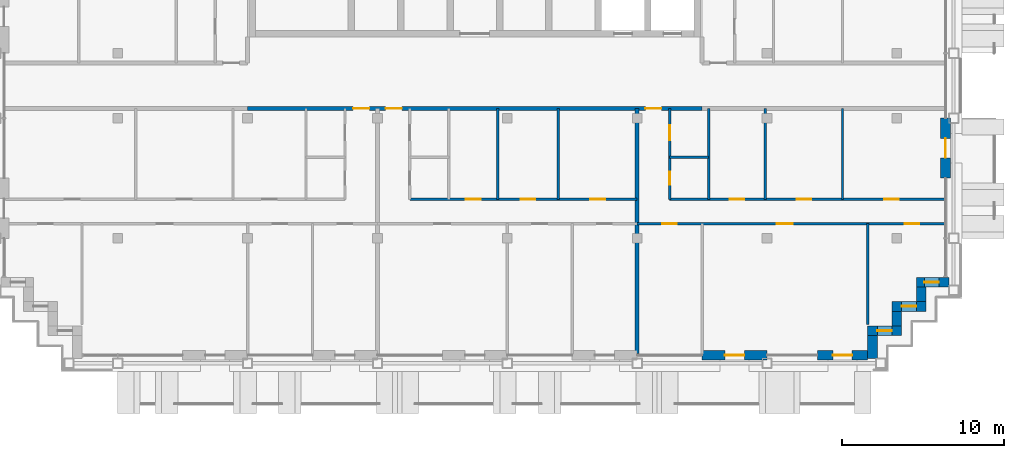
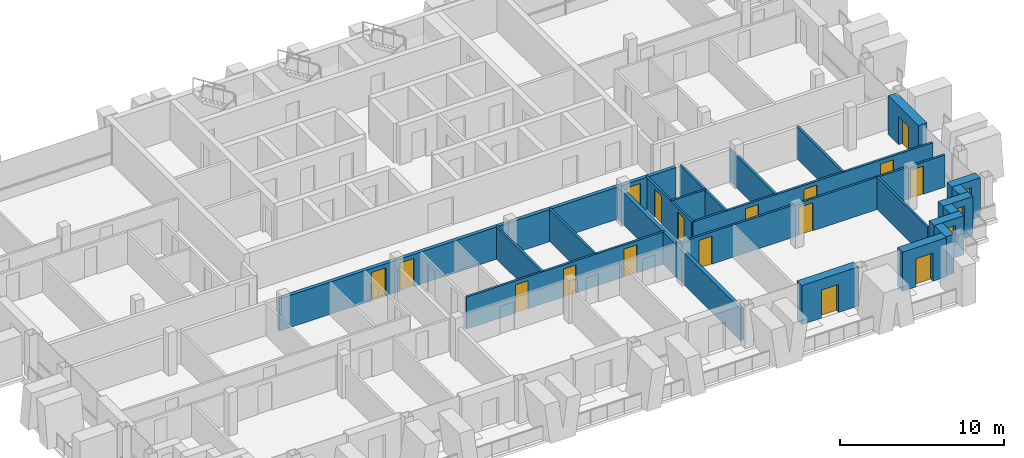
# One storey, part 9 of 15: 22 walls, 17 doors, 3 windows, 20 openings.
"""IFC4 building model written with IfcOpenShell, lengths in metres."""

from ifc_helpers import new_model, si_unit, direction, frame, frame_2d, origin, place, context, subcontext, project, spatial, rectangle, extrude, material, layer, layer_set, type_object, element, fill, save


model = new_model("IFC4")

# Units and contexts
model_context = context("Model", 3, precision=1e-05, world=origin(), true_north=direction((0.0, 1.0)))
body_context = subcontext(model_context, "Body", "Model", "MODEL_VIEW")
ifc_project = project(units=[si_unit("LENGTHUNIT", "METRE"), si_unit("AREAUNIT", "SQUARE_METRE"), si_unit("VOLUMEUNIT", "CUBIC_METRE"), si_unit("PLANEANGLEUNIT", "RADIAN"), si_unit("MASSUNIT", "GRAM", prefix="KILO")], contexts=[model_context])

# Site, building, storey
site_placement = place(None, origin())
site = spatial("IfcSite", under=ifc_project, at=site_placement, CompositionType="ELEMENT")
building_placement = place(site_placement, origin())
building = spatial("IfcBuilding", under=site, at=building_placement, Name="Vidyagriha Tower", CompositionType="ELEMENT")
storey_placement = place(building_placement, frame((0.0, 0.0, 226.800048828125)))
storey = spatial("IfcBuildingStorey", under=building, at=storey_placement, Name="L59", CompositionType="ELEMENT", Elevation=226.800048828125)

# Wall, opening, door
ifc_material_1 = material(Name="Precast concrete C40/50 with brick facing", Category="concrete")
ifc_layer_1 = layer(ifc_material_1, 0.60009765625)
ifc_layer_set_1 = layer_set([ifc_layer_1], Name="Precast concrete C40/50 with brick facing")
wall_type_1 = type_object("IfcWallType", Name="Brick-faced precast wall 600", PredefinedType="STANDARD", material=ifc_layer_set_1)
wall_1_placement = place(storey_placement, frame((14.0, -16.60009765625, 0.0)))
wall_1 = element("IfcWall", 1, at=wall_1_placement, inside=storey, type_object=wall_type_1, Name="Brick door bay wall L59 R23.11", PredefinedType="STANDARD", context=body_context, shape_type="SweptSolid", body=[
    extrude(rectangle(XDim=4.0, YDim=0.60009765625, at=frame_2d((2.0, 0.0))), origin(), (0.0, 0.0, 1.0), 2.919921875),
])
opening_1_placement = place(wall_1_placement, frame((1.39990234375, 0.0, 0.0)))
opening_1 = element("IfcOpeningElement", 2, at=opening_1_placement, cuts=wall_1, Name="Opening D59-66", PredefinedType="OPENING", context=body_context, shape_type="SweptSolid", body=[
    extrude(rectangle(XDim=1.199951171875, YDim=2.10009765625, at=frame_2d((0.60009765625, 1.050048828125))), frame((0.0, 0.31005859375, 0.0), z_axis=(0.0, -1.0, 0.0), x_axis=(1.0, 0.0, 0.0)), (0.0, 0.0, 1.0), 0.6201171875),
])
ifc_material_2 = material(Name="Aluminium framed glazed sliding door", Category="aluminium")
door_type_1 = type_object("IfcDoorType", Name="Balcony sliding door 1200x2100", OperationType="NOTDEFINED", PredefinedType="DOOR", material=ifc_material_2)
door_1_placement = place(opening_1_placement, origin())
door_1 = element("IfcDoor", 3, at=door_1_placement, inside=storey, type_object=door_type_1, Name="Door D59-66", OperationType="SLIDING_TO_LEFT", OverallHeight=2.10009765625, OverallWidth=1.199951171875, PredefinedType="DOOR", context=body_context, shape_type="SweptSolid", body=[
    extrude(rectangle(XDim=1.199951171875, YDim=2.10009765625, at=frame_2d((0.60009765625, 1.050048828125))), frame((0.0, 0.02490234375, 0.0), z_axis=(0.0, -1.0, 0.0), x_axis=(1.0, 0.0, 0.0)), (0.0, 0.0, 1.0), 0.050048828125),
])
fill(opening_1, door_1)

wall_2_placement = place(storey_placement, frame((21.10009765625, -16.60009765625, 0.0)))
wall_2 = element("IfcWall", 4, at=wall_2_placement, inside=storey, type_object=wall_type_1, Name="Brick door bay wall L59 R23.13", PredefinedType="STANDARD", context=body_context, shape_type="SweptSolid", body=[
    extrude(rectangle(XDim=3.099853515625, YDim=0.60009765625, at=frame_2d((1.5498046875, 0.0))), origin(), (0.0, 0.0, 1.0), 2.919921875),
])
opening_2_placement = place(wall_2_placement, frame((0.949951171875, 0.0, 0.0)))
opening_2 = element("IfcOpeningElement", 5, at=opening_2_placement, cuts=wall_2, Name="Opening D59-67", PredefinedType="OPENING", context=body_context, shape_type="SweptSolid", body=[
    extrude(rectangle(XDim=1.199951171875, YDim=2.10009765625, at=frame_2d((0.60009765625, 1.050048828125))), frame((0.0, 0.31005859375, 0.0), z_axis=(0.0, -1.0, 0.0), x_axis=(1.0, 0.0, 0.0)), (0.0, 0.0, 1.0), 0.6201171875),
])
door_2_placement = place(opening_2_placement, origin())
door_2 = element("IfcDoor", 6, at=door_2_placement, inside=storey, type_object=door_type_1, Name="Door D59-67", OperationType="SLIDING_TO_LEFT", OverallHeight=2.10009765625, OverallWidth=1.199951171875, PredefinedType="DOOR", context=body_context, shape_type="SweptSolid", body=[
    extrude(rectangle(XDim=1.199951171875, YDim=2.10009765625, at=frame_2d((0.60009765625, 1.050048828125))), frame((0.0, 0.02490234375, 0.0), z_axis=(0.0, -1.0, 0.0), x_axis=(1.0, 0.0, 0.0)), (0.0, 0.0, 1.0), 0.050048828125),
])
fill(opening_2, door_2)

# Wall
wall_3_placement = place(storey_placement, frame((24.5, -16.800048828125, 0.0), z_axis=(0.0, 0.0, 1.0), x_axis=(0.0, 1.0, 0.0)))
element("IfcWall", 7, at=wall_3_placement, inside=storey, type_object=wall_type_1, Name="Stepped corner wall L59 R24", PredefinedType="STANDARD", context=body_context, shape_type="SweptSolid", body=[
    extrude(rectangle(XDim=1.400146484375, YDim=0.60009765625, at=frame_2d((0.7001953125, 0.0))), origin(), (0.0, 0.0, 1.0), 2.919921875),
])

# Wall, opening, window
wall_4_placement = place(storey_placement, frame((24.199951171875, -15.10009765625, 0.0)))
wall_4 = element("IfcWall", 8, at=wall_4_placement, inside=storey, type_object=wall_type_1, Name="Stepped corner wall L59 R25", PredefinedType="STANDARD", context=body_context, shape_type="SweptSolid", body=[
    extrude(rectangle(XDim=2.10009765625, YDim=0.60009765625, at=frame_2d((1.050048828125, 0.0))), origin(), (0.0, 0.0, 1.0), 2.919921875),
])
opening_3_placement = place(wall_4_placement, frame((0.60009765625, 0.0, 0.89990234375)))
opening_3 = element("IfcOpeningElement", 9, at=opening_3_placement, cuts=wall_4, Name="Opening WN1", PredefinedType="OPENING", context=body_context, shape_type="SweptSolid", body=[
    extrude(rectangle(XDim=0.89990234375, YDim=1.5, at=frame_2d((0.449951171875, 0.75))), frame((0.0, 0.31005859375, 0.0), z_axis=(0.0, -1.0, 0.0), x_axis=(1.0, 0.0, 0.0)), (0.0, 0.0, 1.0), 0.6201171875),
])
ifc_material_3 = material(Name="Aluminium and glass window", Category="aluminium")
window_type = type_object("IfcWindowType", Name="Reveal window 900x1500", PartitioningType="NOTDEFINED", PredefinedType="WINDOW", material=ifc_material_3)
window_1_placement = place(opening_3_placement, origin())
window_1 = element("IfcWindow", 10, at=window_1_placement, inside=storey, type_object=window_type, Name="Reveal window L59 R25", OverallHeight=1.5, OverallWidth=0.89990234375, PartitioningType="SINGLE_PANEL", PredefinedType="WINDOW", context=body_context, shape_type="SweptSolid", body=[
    extrude(rectangle(XDim=0.89990234375, YDim=1.5, at=frame_2d((0.449951171875, 0.75))), frame((0.0, 0.030029296875, 0.0), z_axis=(0.0, -1.0, 0.0), x_axis=(1.0, 0.0, 0.0)), (0.0, 0.0, 1.0), 0.06005859375),
])
fill(opening_3, window_1)

# Wall
wall_5_placement = place(storey_placement, frame((26.0, -14.800048828125, 0.0), z_axis=(0.0, 0.0, 1.0), x_axis=(0.0, 1.0, 0.0)))
element("IfcWall", 11, at=wall_5_placement, inside=storey, type_object=wall_type_1, Name="Stepped corner wall L59 R26", PredefinedType="STANDARD", context=body_context, shape_type="SweptSolid", body=[
    extrude(rectangle(XDim=0.900146484375, YDim=0.60009765625, at=frame_2d((0.4501953125, 0.0))), origin(), (0.0, 0.0, 1.0), 2.919921875),
])

# Wall, opening, window
wall_6_placement = place(storey_placement, frame((25.699951171875, -13.60009765625, 0.0)))
wall_6 = element("IfcWall", 12, at=wall_6_placement, inside=storey, type_object=wall_type_1, Name="Stepped corner wall L59 R27", PredefinedType="STANDARD", context=body_context, shape_type="SweptSolid", body=[
    extrude(rectangle(XDim=2.10009765625, YDim=0.60009765625, at=frame_2d((1.050048828125, 0.0))), origin(), (0.0, 0.0, 1.0), 2.919921875),
])
opening_4_placement = place(wall_6_placement, frame((0.60009765625, 0.0, 0.89990234375)))
opening_4 = element("IfcOpeningElement", 13, at=opening_4_placement, cuts=wall_6, Name="Opening WN1", PredefinedType="OPENING", context=body_context, shape_type="SweptSolid", body=[
    extrude(rectangle(XDim=0.89990234375, YDim=1.5, at=frame_2d((0.449951171875, 0.75))), frame((0.0, 0.31005859375, 0.0), z_axis=(0.0, -1.0, 0.0), x_axis=(1.0, 0.0, 0.0)), (0.0, 0.0, 1.0), 0.6201171875),
])
window_2_placement = place(opening_4_placement, origin())
window_2 = element("IfcWindow", 14, at=window_2_placement, inside=storey, type_object=window_type, Name="Reveal window L59 R27", OverallHeight=1.5, OverallWidth=0.89990234375, PartitioningType="SINGLE_PANEL", PredefinedType="WINDOW", context=body_context, shape_type="SweptSolid", body=[
    extrude(rectangle(XDim=0.89990234375, YDim=1.5, at=frame_2d((0.449951171875, 0.75))), frame((0.0, 0.030029296875, 0.0), z_axis=(0.0, -1.0, 0.0), x_axis=(1.0, 0.0, 0.0)), (0.0, 0.0, 1.0), 0.06005859375),
])
fill(opening_4, window_2)

# Wall
wall_7_placement = place(storey_placement, frame((27.5, -13.300048828125, 0.0), z_axis=(0.0, 0.0, 1.0), x_axis=(0.0, 1.0, 0.0)))
element("IfcWall", 15, at=wall_7_placement, inside=storey, type_object=wall_type_1, Name="Stepped corner wall L59 R28", PredefinedType="STANDARD", context=body_context, shape_type="SweptSolid", body=[
    extrude(rectangle(XDim=0.900146484375, YDim=0.60009765625, at=frame_2d((0.4501953125, 0.0))), origin(), (0.0, 0.0, 1.0), 2.919921875),
])

# Wall, opening, window
wall_8_placement = place(storey_placement, frame((27.199951171875, -12.10009765625, 0.0)))
wall_8 = element("IfcWall", 16, at=wall_8_placement, inside=storey, type_object=wall_type_1, Name="Stepped corner wall L59 R29", PredefinedType="STANDARD", context=body_context, shape_type="SweptSolid", body=[
    extrude(rectangle(XDim=2.0, YDim=0.60009765625, at=frame_2d((1.0, 0.0))), origin(), (0.0, 0.0, 1.0), 2.919921875),
])
opening_5_placement = place(wall_8_placement, frame((0.489990234375, 0.0, 0.89990234375)))
opening_5 = element("IfcOpeningElement", 17, at=opening_5_placement, cuts=wall_8, Name="Opening WN1", PredefinedType="OPENING", context=body_context, shape_type="SweptSolid", body=[
    extrude(rectangle(XDim=0.89990234375, YDim=1.5, at=frame_2d((0.449951171875, 0.75))), frame((0.0, 0.31005859375, 0.0), z_axis=(0.0, -1.0, 0.0), x_axis=(1.0, 0.0, 0.0)), (0.0, 0.0, 1.0), 0.6201171875),
])
window_3_placement = place(opening_5_placement, origin())
window_3 = element("IfcWindow", 18, at=window_3_placement, inside=storey, type_object=window_type, Name="Reveal window L59 R29", OverallHeight=1.5, OverallWidth=0.89990234375, PartitioningType="SINGLE_PANEL", PredefinedType="WINDOW", context=body_context, shape_type="SweptSolid", body=[
    extrude(rectangle(XDim=0.89990234375, YDim=1.5, at=frame_2d((0.449951171875, 0.75))), frame((0.0, 0.030029296875, 0.0), z_axis=(0.0, -1.0, 0.0), x_axis=(1.0, 0.0, 0.0)), (0.0, 0.0, 1.0), 0.06005859375),
])
fill(opening_5, window_3)

# Wall, opening, door
wall_9_placement = place(storey_placement, frame((29.0, -5.699951171875, 0.0), z_axis=(0.0, 0.0, 1.0), x_axis=(0.0, 1.0, 0.0)))
wall_9 = element("IfcWall", 19, at=wall_9_placement, inside=storey, type_object=wall_type_1, Name="Brick door bay wall L59 R30.3", PredefinedType="STANDARD", context=body_context, shape_type="SweptSolid", body=[
    extrude(rectangle(XDim=3.699951171875, YDim=0.60009765625, at=frame_2d((1.85009765625, 0.0))), origin(), (0.0, 0.0, 1.0), 2.919921875),
])
opening_6_placement = place(wall_9_placement, frame((1.25, 0.0, 0.0)))
opening_6 = element("IfcOpeningElement", 20, at=opening_6_placement, cuts=wall_9, Name="Opening D59-68", PredefinedType="OPENING", context=body_context, shape_type="SweptSolid", body=[
    extrude(rectangle(XDim=1.199951171875, YDim=2.10009765625, at=frame_2d((0.60009765625, 1.050048828125))), frame((0.0, 0.31005859375, 0.0), z_axis=(0.0, -1.0, 0.0), x_axis=(1.0, 0.0, 0.0)), (0.0, 0.0, 1.0), 0.6201171875),
])
door_3_placement = place(opening_6_placement, origin())
door_3 = element("IfcDoor", 21, at=door_3_placement, inside=storey, type_object=door_type_1, Name="Door D59-68", OperationType="SLIDING_TO_LEFT", OverallHeight=2.10009765625, OverallWidth=1.199951171875, PredefinedType="DOOR", context=body_context, shape_type="SweptSolid", body=[
    extrude(rectangle(XDim=1.199951171875, YDim=2.10009765625, at=frame_2d((0.60009765625, 1.050048828125))), frame((0.0, 0.02490234375, 0.0), z_axis=(0.0, -1.0, 0.0), x_axis=(1.0, 0.0, 0.0)), (0.0, 0.0, 1.0), 0.050048828125),
])
fill(opening_6, door_3)

# Wall, openings, doors
ifc_material_4 = material(Name="Fired clay brick masonry", Category="masonry")
ifc_layer_2 = layer(ifc_material_4, 0.25)
ifc_layer_set_2 = layer_set([ifc_layer_2], Name="Fired clay brick masonry")
wall_type_2 = type_object("IfcWallType", Name="Fired clay brick corridor wall 250", PredefinedType="PARTITIONING", material=ifc_layer_set_2)
wall_10_placement = place(storey_placement, frame((14.0, -1.39990234375, 0.0), z_axis=(0.0, 0.0, 1.0), x_axis=(-1.0, 0.0, 0.0)))
wall_10 = element("IfcWall", 22, at=wall_10_placement, inside=storey, type_object=wall_type_2, Name="Wall all-L59-w091", PredefinedType="PARTITIONING", context=body_context, shape_type="SweptSolid", body=[
    extrude(rectangle(XDim=28.0, YDim=0.25, at=frame_2d((14.0, 0.0))), origin(), (0.0, 0.0, 1.0), 2.39990234375),
])
opening_7_placement = place(wall_10_placement, frame((20.5, 0.0, 0.0)))
opening_7 = element("IfcOpeningElement", 23, at=opening_7_placement, cuts=wall_10, Name="Opening D59-27", PredefinedType="OPENING", context=body_context, shape_type="SweptSolid", body=[
    extrude(rectangle(XDim=1.0, YDim=2.10009765625, at=frame_2d((0.5, 1.050048828125))), frame((0.0, 0.135009765625, 0.0), z_axis=(0.0, -1.0, 0.0), x_axis=(1.0, 0.0, 0.0)), (0.0, 0.0, 1.0), 0.27001953125),
])
opening_8_placement = place(wall_10_placement, frame((18.5, 0.0, 0.0)))
opening_8 = element("IfcOpeningElement", 24, at=opening_8_placement, cuts=wall_10, Name="Opening D59-36", PredefinedType="OPENING", context=body_context, shape_type="SweptSolid", body=[
    extrude(rectangle(XDim=1.0, YDim=2.10009765625, at=frame_2d((0.5, 1.050048828125))), frame((0.0, 0.135009765625, 0.0), z_axis=(0.0, -1.0, 0.0), x_axis=(1.0, 0.0, 0.0)), (0.0, 0.0, 1.0), 0.27001953125),
])
opening_9_placement = place(wall_10_placement, frame((2.5, 0.0, 0.0)))
opening_9 = element("IfcOpeningElement", 25, at=opening_9_placement, cuts=wall_10, Name="Opening D59-45", PredefinedType="OPENING", context=body_context, shape_type="SweptSolid", body=[
    extrude(rectangle(XDim=1.0, YDim=2.10009765625, at=frame_2d((0.5, 1.050048828125))), frame((0.0, 0.135009765625, 0.0), z_axis=(0.0, -1.0, 0.0), x_axis=(1.0, 0.0, 0.0)), (0.0, 0.0, 1.0), 0.27001953125),
])
ifc_material_5 = material(Name="Fire-rated timber door leaf EI 60", Category="wood")
door_type_2 = type_object("IfcDoorType", Name="Flat entrance fire door 1000x2100", OperationType="NOTDEFINED", PredefinedType="DOOR", material=ifc_material_5)
door_4_placement = place(opening_7_placement, origin())
door_4 = element("IfcDoor", 26, at=door_4_placement, inside=storey, type_object=door_type_2, Name="Door D59-27", OperationType="SINGLE_SWING_LEFT", OverallHeight=2.10009765625, OverallWidth=1.0, PredefinedType="DOOR", context=body_context, shape_type="SweptSolid", body=[
    extrude(rectangle(XDim=1.0, YDim=2.10009765625, at=frame_2d((0.5, 1.050048828125))), frame((0.0, 0.02490234375, 0.0), z_axis=(0.0, -1.0, 0.0), x_axis=(1.0, 0.0, 0.0)), (0.0, 0.0, 1.0), 0.050048828125),
])
fill(opening_7, door_4)
door_5_placement = place(opening_8_placement, origin())
door_5 = element("IfcDoor", 27, at=door_5_placement, inside=storey, type_object=door_type_2, Name="Door D59-36", OperationType="SINGLE_SWING_RIGHT", OverallHeight=2.10009765625, OverallWidth=1.0, PredefinedType="DOOR", context=body_context, shape_type="SweptSolid", body=[
    extrude(rectangle(XDim=1.0, YDim=2.10009765625, at=frame_2d((0.5, 1.050048828125))), frame((0.0, 0.02490234375, 0.0), z_axis=(0.0, -1.0, 0.0), x_axis=(1.0, 0.0, 0.0)), (0.0, 0.0, 1.0), 0.050048828125),
])
fill(opening_8, door_5)
door_6_placement = place(opening_9_placement, origin())
door_6 = element("IfcDoor", 28, at=door_6_placement, inside=storey, type_object=door_type_2, Name="Door D59-45", OperationType="SINGLE_SWING_RIGHT", OverallHeight=2.10009765625, OverallWidth=1.0, PredefinedType="DOOR", context=body_context, shape_type="SweptSolid", body=[
    extrude(rectangle(XDim=1.0, YDim=2.10009765625, at=frame_2d((0.5, 1.050048828125))), frame((0.0, 0.02490234375, 0.0), z_axis=(0.0, -1.0, 0.0), x_axis=(1.0, 0.0, 0.0)), (0.0, 0.0, 1.0), 0.050048828125),
])
fill(opening_9, door_6)

# Walls
ifc_material_6 = material(Name="Fired clay brick masonry", Category="masonry")
ifc_layer_3 = layer(ifc_material_6, 0.25)
ifc_layer_set_3 = layer_set([ifc_layer_3], Name="Fired clay brick masonry")
wall_type_3 = type_object("IfcWallType", Name="Fired clay brick demising wall 250", PredefinedType="PARTITIONING", material=ifc_layer_set_3)
wall_11_placement = place(storey_placement, frame((10.0, -1.39990234375, 0.0), z_axis=(0.0, 0.0, 1.0), x_axis=(0.0, -1.0, 0.0)))
element("IfcWall", 29, at=wall_11_placement, inside=storey, type_object=wall_type_3, Name="Wall all-L59-w058", PredefinedType="PARTITIONING", context=body_context, shape_type="SweptSolid", body=[
    extrude(rectangle(XDim=15.110107421875, YDim=0.25, at=frame_2d((7.55517578125, 0.0))), origin(), (0.0, 0.0, 1.0), 2.39990234375),
])
ifc_material_7 = material(Name="Gypsum board partition")
ifc_layer_4 = layer(ifc_material_7, 0.14990234375)
ifc_layer_set_4 = layer_set([ifc_layer_4], Name="Gypsum board partition")
wall_type_4 = type_object("IfcWallType", Name="Gypsum board partition 150", PredefinedType="PARTITIONING", material=ifc_layer_set_4)
for number, where, z_axis, x_axis, name in (
    (30, (1.39990234375, -1.39990234375, 0.0), (0.0, 0.0, 1.0), (0.0, -1.0, 0.0), "Wall all-L59-w026"),
    (31, (5.14990234375, -1.39990234375, 0.0), (0.0, 0.0, 1.0), (0.0, -1.0, 0.0), "Wall all-L59-w027"),
):
    element("IfcWall", number, at=place(storey_placement, frame(where, z_axis=z_axis, x_axis=x_axis)), inside=storey, type_object=wall_type_4, Name=name, PredefinedType="PARTITIONING", context=body_context, shape_type="SweptSolid", body=[
        extrude(rectangle(XDim=5.60009765625, YDim=0.14990234375, at=frame_2d((2.800048828125, 0.0))), origin(), (0.0, 0.0, 1.0), 2.39990234375),
    ])

# Wall, openings, doors
wall_12_placement = place(storey_placement, frame((-4.0, -7.0, 0.0)))
wall_12 = element("IfcWall", 32, at=wall_12_placement, inside=storey, type_object=wall_type_4, Name="Wall all-L59-w028", PredefinedType="PARTITIONING", context=body_context, shape_type="SweptSolid", body=[
    extrude(rectangle(XDim=14.0, YDim=0.14990234375, at=frame_2d((7.0, 0.0))), origin(), (0.0, 0.0, 1.0), 2.39990234375),
])
opening_10_placement = place(wall_12_placement, frame((3.449951171875, 0.0, 0.0)))
opening_10 = element("IfcOpeningElement", 33, at=opening_10_placement, cuts=wall_12, Name="Opening D59-30", PredefinedType="OPENING", context=body_context, shape_type="SweptSolid", body=[
    extrude(rectangle(XDim=0.89990234375, YDim=2.10009765625, at=frame_2d((0.449951171875, 1.050048828125))), frame((0.0, 0.0849609375, 0.0), z_axis=(0.0, -1.0, 0.0), x_axis=(1.0, 0.0, 0.0)), (0.0, 0.0, 1.0), 0.169921875),
])
opening_11_placement = place(wall_12_placement, frame((6.824951171875, 0.0, 0.0)))
opening_11 = element("IfcOpeningElement", 34, at=opening_11_placement, cuts=wall_12, Name="Opening D59-31", PredefinedType="OPENING", context=body_context, shape_type="SweptSolid", body=[
    extrude(rectangle(XDim=0.89990234375, YDim=2.10009765625, at=frame_2d((0.449951171875, 1.050048828125))), frame((0.0, 0.0849609375, 0.0), z_axis=(0.0, -1.0, 0.0), x_axis=(1.0, 0.0, 0.0)), (0.0, 0.0, 1.0), 0.169921875),
])
opening_12_placement = place(wall_12_placement, frame((11.125, 0.0, 0.0)))
opening_12 = element("IfcOpeningElement", 35, at=opening_12_placement, cuts=wall_12, Name="Opening D59-32", PredefinedType="OPENING", context=body_context, shape_type="SweptSolid", body=[
    extrude(rectangle(XDim=0.89990234375, YDim=2.10009765625, at=frame_2d((0.449951171875, 1.050048828125))), frame((0.0, 0.0849609375, 0.0), z_axis=(0.0, -1.0, 0.0), x_axis=(1.0, 0.0, 0.0)), (0.0, 0.0, 1.0), 0.169921875),
])
ifc_material_8 = material(Name="Timber door leaf", Category="wood")
door_type_3 = type_object("IfcDoorType", Name="Room door 900x2100", OperationType="NOTDEFINED", PredefinedType="DOOR", material=ifc_material_8)
door_7_placement = place(opening_10_placement, origin())
door_7 = element("IfcDoor", 36, at=door_7_placement, inside=storey, type_object=door_type_3, Name="Door D59-30", OperationType="SINGLE_SWING_RIGHT", OverallHeight=2.10009765625, OverallWidth=0.89990234375, PredefinedType="DOOR", context=body_context, shape_type="SweptSolid", body=[
    extrude(rectangle(XDim=0.89990234375, YDim=2.10009765625, at=frame_2d((0.449951171875, 1.050048828125))), frame((0.0, 0.02490234375, 0.0), z_axis=(0.0, -1.0, 0.0), x_axis=(1.0, 0.0, 0.0)), (0.0, 0.0, 1.0), 0.050048828125),
])
fill(opening_10, door_7)
door_8_placement = place(opening_11_placement, origin())
door_8 = element("IfcDoor", 37, at=door_8_placement, inside=storey, type_object=door_type_3, Name="Door D59-31", OperationType="SINGLE_SWING_RIGHT", OverallHeight=2.10009765625, OverallWidth=0.89990234375, PredefinedType="DOOR", context=body_context, shape_type="SweptSolid", body=[
    extrude(rectangle(XDim=0.89990234375, YDim=2.10009765625, at=frame_2d((0.449951171875, 1.050048828125))), frame((0.0, 0.02490234375, 0.0), z_axis=(0.0, -1.0, 0.0), x_axis=(1.0, 0.0, 0.0)), (0.0, 0.0, 1.0), 0.050048828125),
])
fill(opening_11, door_8)
door_9_placement = place(opening_12_placement, origin())
door_9 = element("IfcDoor", 38, at=door_9_placement, inside=storey, type_object=door_type_3, Name="Door D59-32", OperationType="SINGLE_SWING_LEFT", OverallHeight=2.10009765625, OverallWidth=0.89990234375, PredefinedType="DOOR", context=body_context, shape_type="SweptSolid", body=[
    extrude(rectangle(XDim=0.89990234375, YDim=2.10009765625, at=frame_2d((0.449951171875, 1.050048828125))), frame((0.0, 0.02490234375, 0.0), z_axis=(0.0, -1.0, 0.0), x_axis=(1.0, 0.0, 0.0)), (0.0, 0.0, 1.0), 0.050048828125),
])
fill(opening_12, door_9)

# Walls
wall_13_placement = place(storey_placement, frame((14.39990234375, -4.39990234375, 0.0), z_axis=(0.0, 0.0, 1.0), x_axis=(-1.0, 0.0, 0.0)))
element("IfcWall", 39, at=wall_13_placement, inside=storey, type_object=wall_type_4, Name="Wall all-L59-w043", PredefinedType="PARTITIONING", context=body_context, shape_type="SweptSolid", body=[
    extrude(rectangle(XDim=2.39990234375, YDim=0.14990234375, at=frame_2d((1.199951171875, 0.0))), origin(), (0.0, 0.0, 1.0), 2.39990234375),
])
for number, where, z_axis, x_axis, name in (
    (40, (14.39990234375, -1.39990234375, 0.0), (0.0, 0.0, 1.0), (0.0, -1.0, 0.0), "Wall all-L59-w044"),
    (41, (17.89990234375, -1.39990234375, 0.0), (0.0, 0.0, 1.0), (0.0, -1.0, 0.0), "Wall all-L59-w045"),
    (42, (22.64990234375, -1.39990234375, 0.0), (0.0, 0.0, 1.0), (0.0, -1.0, 0.0), "Wall all-L59-w046"),
):
    element("IfcWall", number, at=place(storey_placement, frame(where, z_axis=z_axis, x_axis=x_axis)), inside=storey, type_object=wall_type_4, Name=name, PredefinedType="PARTITIONING", context=body_context, shape_type="SweptSolid", body=[
        extrude(rectangle(XDim=5.60009765625, YDim=0.14990234375, at=frame_2d((2.800048828125, 0.0))), origin(), (0.0, 0.0, 1.0), 2.39990234375),
    ])

# Wall, openings, doors
wall_14_placement = place(storey_placement, frame((12.0, -7.0, 0.0)))
wall_14 = element("IfcWall", 43, at=wall_14_placement, inside=storey, type_object=wall_type_4, Name="Wall all-L59-w047", PredefinedType="PARTITIONING", context=body_context, shape_type="SweptSolid", body=[
    extrude(rectangle(XDim=16.919921875, YDim=0.14990234375, at=frame_2d((8.4599609375, 0.0))), origin(), (0.0, 0.0, 1.0), 2.39990234375),
])
opening_13_placement = place(wall_14_placement, frame((3.699951171875, 0.0, 0.0)))
opening_13 = element("IfcOpeningElement", 44, at=opening_13_placement, cuts=wall_14, Name="Opening D59-39", PredefinedType="OPENING", context=body_context, shape_type="SweptSolid", body=[
    extrude(rectangle(XDim=0.89990234375, YDim=2.10009765625, at=frame_2d((0.449951171875, 1.050048828125))), frame((0.0, 0.0849609375, 0.0), z_axis=(0.0, -1.0, 0.0), x_axis=(1.0, 0.0, 0.0)), (0.0, 0.0, 1.0), 0.169921875),
])
opening_14_placement = place(wall_14_placement, frame((7.824951171875, 0.0, 0.0)))
opening_14 = element("IfcOpeningElement", 45, at=opening_14_placement, cuts=wall_14, Name="Opening D59-40", PredefinedType="OPENING", context=body_context, shape_type="SweptSolid", body=[
    extrude(rectangle(XDim=0.89990234375, YDim=2.10009765625, at=frame_2d((0.449951171875, 1.050048828125))), frame((0.0, 0.0849609375, 0.0), z_axis=(0.0, -1.0, 0.0), x_axis=(1.0, 0.0, 0.0)), (0.0, 0.0, 1.0), 0.169921875),
])
opening_15_placement = place(wall_14_placement, frame((13.22509765625, 0.0, 0.0)))
opening_15 = element("IfcOpeningElement", 46, at=opening_15_placement, cuts=wall_14, Name="Opening D59-41", PredefinedType="OPENING", context=body_context, shape_type="SweptSolid", body=[
    extrude(rectangle(XDim=0.89990234375, YDim=2.10009765625, at=frame_2d((0.449951171875, 1.050048828125))), frame((0.0, 0.0849609375, 0.0), z_axis=(0.0, -1.0, 0.0), x_axis=(1.0, 0.0, 0.0)), (0.0, 0.0, 1.0), 0.169921875),
])
door_10_placement = place(opening_13_placement, origin())
door_10 = element("IfcDoor", 47, at=door_10_placement, inside=storey, type_object=door_type_3, Name="Door D59-39", OperationType="SINGLE_SWING_LEFT", OverallHeight=2.10009765625, OverallWidth=0.89990234375, PredefinedType="DOOR", context=body_context, shape_type="SweptSolid", body=[
    extrude(rectangle(XDim=0.89990234375, YDim=2.10009765625, at=frame_2d((0.449951171875, 1.050048828125))), frame((0.0, 0.02490234375, 0.0), z_axis=(0.0, -1.0, 0.0), x_axis=(1.0, 0.0, 0.0)), (0.0, 0.0, 1.0), 0.050048828125),
])
fill(opening_13, door_10)
door_11_placement = place(opening_14_placement, origin())
door_11 = element("IfcDoor", 48, at=door_11_placement, inside=storey, type_object=door_type_3, Name="Door D59-40", OperationType="SINGLE_SWING_RIGHT", OverallHeight=2.10009765625, OverallWidth=0.89990234375, PredefinedType="DOOR", context=body_context, shape_type="SweptSolid", body=[
    extrude(rectangle(XDim=0.89990234375, YDim=2.10009765625, at=frame_2d((0.449951171875, 1.050048828125))), frame((0.0, 0.02490234375, 0.0), z_axis=(0.0, -1.0, 0.0), x_axis=(1.0, 0.0, 0.0)), (0.0, 0.0, 1.0), 0.050048828125),
])
fill(opening_14, door_11)
door_12_placement = place(opening_15_placement, origin())
door_12 = element("IfcDoor", 49, at=door_12_placement, inside=storey, type_object=door_type_3, Name="Door D59-41", OperationType="SINGLE_SWING_RIGHT", OverallHeight=2.10009765625, OverallWidth=0.89990234375, PredefinedType="DOOR", context=body_context, shape_type="SweptSolid", body=[
    extrude(rectangle(XDim=0.89990234375, YDim=2.10009765625, at=frame_2d((0.449951171875, 1.050048828125))), frame((0.0, 0.02490234375, 0.0), z_axis=(0.0, -1.0, 0.0), x_axis=(1.0, 0.0, 0.0)), (0.0, 0.0, 1.0), 0.050048828125),
])
fill(opening_15, door_12)

wall_15_placement = place(storey_placement, frame((28.919921875, -8.5, 0.0), z_axis=(0.0, 0.0, 1.0), x_axis=(-1.0, 0.0, 0.0)))
wall_15 = element("IfcWall", 50, at=wall_15_placement, inside=storey, type_object=wall_type_4, Name="Wall all-L59-w051", PredefinedType="PARTITIONING", context=body_context, shape_type="SweptSolid", body=[
    extrude(rectangle(XDim=18.919921875, YDim=0.14990234375, at=frame_2d((9.4599609375, 0.0))), origin(), (0.0, 0.0, 1.0), 2.39990234375),
])
opening_16_placement = place(wall_15_placement, frame((16.469970703125, 0.0, 0.0)))
opening_16 = element("IfcOpeningElement", 51, at=opening_16_placement, cuts=wall_15, Name="Opening D59-42", PredefinedType="OPENING", context=body_context, shape_type="SweptSolid", body=[
    extrude(rectangle(XDim=0.89990234375, YDim=2.10009765625, at=frame_2d((0.449951171875, 1.050048828125))), frame((0.0, 0.0849609375, 0.0), z_axis=(0.0, -1.0, 0.0), x_axis=(1.0, 0.0, 0.0)), (0.0, 0.0, 1.0), 0.169921875),
])
opening_17_placement = place(wall_15_placement, frame((9.320068359375, 0.0, 0.0)))
opening_17 = element("IfcOpeningElement", 52, at=opening_17_placement, cuts=wall_15, Name="Opening D59-43", PredefinedType="OPENING", context=body_context, shape_type="SweptSolid", body=[
    extrude(rectangle(XDim=1.0, YDim=2.10009765625, at=frame_2d((0.5, 1.050048828125))), frame((0.0, 0.0849609375, 0.0), z_axis=(0.0, -1.0, 0.0), x_axis=(1.0, 0.0, 0.0)), (0.0, 0.0, 1.0), 0.169921875),
])
opening_18_placement = place(wall_15_placement, frame((1.5439453125, 0.0, 0.0)))
opening_18 = element("IfcOpeningElement", 53, at=opening_18_placement, cuts=wall_15, Name="Opening D59-44", PredefinedType="OPENING", context=body_context, shape_type="SweptSolid", body=[
    extrude(rectangle(XDim=0.89990234375, YDim=2.10009765625, at=frame_2d((0.449951171875, 1.050048828125))), frame((0.0, 0.0849609375, 0.0), z_axis=(0.0, -1.0, 0.0), x_axis=(1.0, 0.0, 0.0)), (0.0, 0.0, 1.0), 0.169921875),
])
ifc_material_9 = material(Name="Timber door leaf", Category="wood")
door_type_4 = type_object("IfcDoorType", Name="Room door 1000x2100", OperationType="NOTDEFINED", PredefinedType="DOOR", material=ifc_material_9)
door_13_placement = place(opening_17_placement, origin())
door_13 = element("IfcDoor", 54, at=door_13_placement, inside=storey, type_object=door_type_4, Name="Door D59-43", OperationType="SINGLE_SWING_LEFT", OverallHeight=2.10009765625, OverallWidth=1.0, PredefinedType="DOOR", context=body_context, shape_type="SweptSolid", body=[
    extrude(rectangle(XDim=1.0, YDim=2.10009765625, at=frame_2d((0.5, 1.050048828125))), frame((0.0, 0.02490234375, 0.0), z_axis=(0.0, -1.0, 0.0), x_axis=(1.0, 0.0, 0.0)), (0.0, 0.0, 1.0), 0.050048828125),
])
fill(opening_17, door_13)
door_14_placement = place(opening_16_placement, origin())
door_14 = element("IfcDoor", 55, at=door_14_placement, inside=storey, type_object=door_type_3, Name="Door D59-42", OperationType="SINGLE_SWING_RIGHT", OverallHeight=2.10009765625, OverallWidth=0.89990234375, PredefinedType="DOOR", context=body_context, shape_type="SweptSolid", body=[
    extrude(rectangle(XDim=0.89990234375, YDim=2.10009765625, at=frame_2d((0.449951171875, 1.050048828125))), frame((0.0, 0.02490234375, 0.0), z_axis=(0.0, -1.0, 0.0), x_axis=(1.0, 0.0, 0.0)), (0.0, 0.0, 1.0), 0.050048828125),
])
fill(opening_16, door_14)
door_15_placement = place(opening_18_placement, origin())
door_15 = element("IfcDoor", 56, at=door_15_placement, inside=storey, type_object=door_type_3, Name="Door D59-44", OperationType="SINGLE_SWING_LEFT", OverallHeight=2.10009765625, OverallWidth=0.89990234375, PredefinedType="DOOR", context=body_context, shape_type="SweptSolid", body=[
    extrude(rectangle(XDim=0.89990234375, YDim=2.10009765625, at=frame_2d((0.449951171875, 1.050048828125))), frame((0.0, 0.02490234375, 0.0), z_axis=(0.0, -1.0, 0.0), x_axis=(1.0, 0.0, 0.0)), (0.0, 0.0, 1.0), 0.050048828125),
])
fill(opening_18, door_15)

# Wall
wall_16_placement = place(storey_placement, frame((24.199951171875, -8.5, 0.0), z_axis=(0.0, 0.0, 1.0), x_axis=(0.0, -1.0, 0.0)))
element("IfcWall", 57, at=wall_16_placement, inside=storey, type_object=wall_type_4, Name="Wall all-L59-w056", PredefinedType="PARTITIONING", context=body_context, shape_type="SweptSolid", body=[
    extrude(rectangle(XDim=6.219970703125, YDim=0.14990234375, at=frame_2d((3.10986328125, 0.0))), origin(), (0.0, 0.0, 1.0), 2.39990234375),
])

# Wall, openings, doors
ifc_material_10 = material(Name="Moisture resistant gypsum board partition")
ifc_layer_5 = layer(ifc_material_10, 0.14990234375)
ifc_layer_set_5 = layer_set([ifc_layer_5], Name="Moisture resistant gypsum board partition")
wall_type_5 = type_object("IfcWallType", Name="Gypsum board wet-area partition 150", PredefinedType="PARTITIONING", material=ifc_layer_set_5)
wall_17_placement = place(storey_placement, frame((12.0, -1.39990234375, 0.0), z_axis=(0.0, 0.0, 1.0), x_axis=(0.0, -1.0, 0.0)))
wall_17 = element("IfcWall", 58, at=wall_17_placement, inside=storey, type_object=wall_type_5, Name="Wall all-L59-w040", PredefinedType="PARTITIONING", context=body_context, shape_type="SweptSolid", body=[
    extrude(rectangle(XDim=5.60009765625, YDim=0.14990234375, at=frame_2d((2.800048828125, 0.0))), origin(), (0.0, 0.0, 1.0), 2.39990234375),
])
opening_19_placement = place(wall_17_placement, frame((1.050048828125, 0.0, 0.0)))
opening_19 = element("IfcOpeningElement", 59, at=opening_19_placement, cuts=wall_17, Name="Opening D59-37", PredefinedType="OPENING", context=body_context, shape_type="SweptSolid", body=[
    extrude(rectangle(XDim=0.89990234375, YDim=2.10009765625, at=frame_2d((0.449951171875, 1.050048828125))), frame((0.0, 0.0849609375, 0.0), z_axis=(0.0, -1.0, 0.0), x_axis=(1.0, 0.0, 0.0)), (0.0, 0.0, 1.0), 0.169921875),
])
opening_20_placement = place(wall_17_placement, frame((3.89990234375, 0.0, 0.0)))
opening_20 = element("IfcOpeningElement", 60, at=opening_20_placement, cuts=wall_17, Name="Opening D59-38", PredefinedType="OPENING", context=body_context, shape_type="SweptSolid", body=[
    extrude(rectangle(XDim=0.800048828125, YDim=2.10009765625, at=frame_2d((0.39990234375, 1.050048828125))), frame((0.0, 0.0849609375, 0.0), z_axis=(0.0, -1.0, 0.0), x_axis=(1.0, 0.0, 0.0)), (0.0, 0.0, 1.0), 0.169921875),
])
ifc_material_11 = material(Name="Timber door leaf", Category="wood")
door_type_5 = type_object("IfcDoorType", Name="Bathroom door 800x2100", OperationType="NOTDEFINED", PredefinedType="DOOR", material=ifc_material_11)
door_16_placement = place(opening_20_placement, origin())
door_16 = element("IfcDoor", 61, at=door_16_placement, inside=storey, type_object=door_type_5, Name="Door D59-38", OperationType="SINGLE_SWING_RIGHT", OverallHeight=2.10009765625, OverallWidth=0.800048828125, PredefinedType="DOOR", context=body_context, shape_type="SweptSolid", body=[
    extrude(rectangle(XDim=0.800048828125, YDim=2.10009765625, at=frame_2d((0.39990234375, 1.050048828125))), frame((0.0, 0.02490234375, 0.0), z_axis=(0.0, -1.0, 0.0), x_axis=(1.0, 0.0, 0.0)), (0.0, 0.0, 1.0), 0.050048828125),
])
fill(opening_20, door_16)
ifc_material_12 = material(Name="Timber door leaf", Category="wood")
door_type_6 = type_object("IfcDoorType", Name="Kitchen door 900x2100", OperationType="NOTDEFINED", PredefinedType="DOOR", material=ifc_material_12)
door_17_placement = place(opening_19_placement, origin())
door_17 = element("IfcDoor", 62, at=door_17_placement, inside=storey, type_object=door_type_6, Name="Door D59-37", OperationType="SINGLE_SWING_LEFT", OverallHeight=2.10009765625, OverallWidth=0.89990234375, PredefinedType="DOOR", context=body_context, shape_type="SweptSolid", body=[
    extrude(rectangle(XDim=0.89990234375, YDim=2.10009765625, at=frame_2d((0.449951171875, 1.050048828125))), frame((0.0, 0.02490234375, 0.0), z_axis=(0.0, -1.0, 0.0), x_axis=(1.0, 0.0, 0.0)), (0.0, 0.0, 1.0), 0.050048828125),
])
fill(opening_19, door_17)

save(model, "model.ifc")
